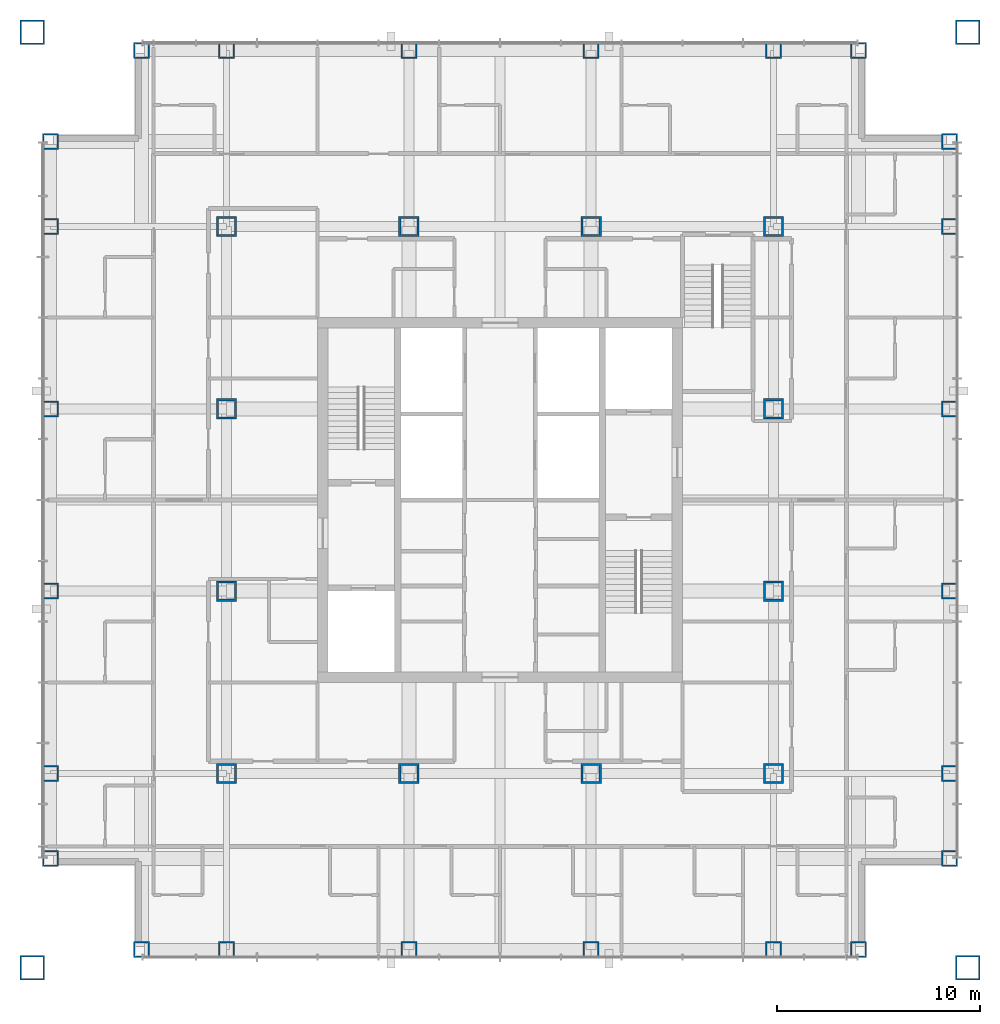
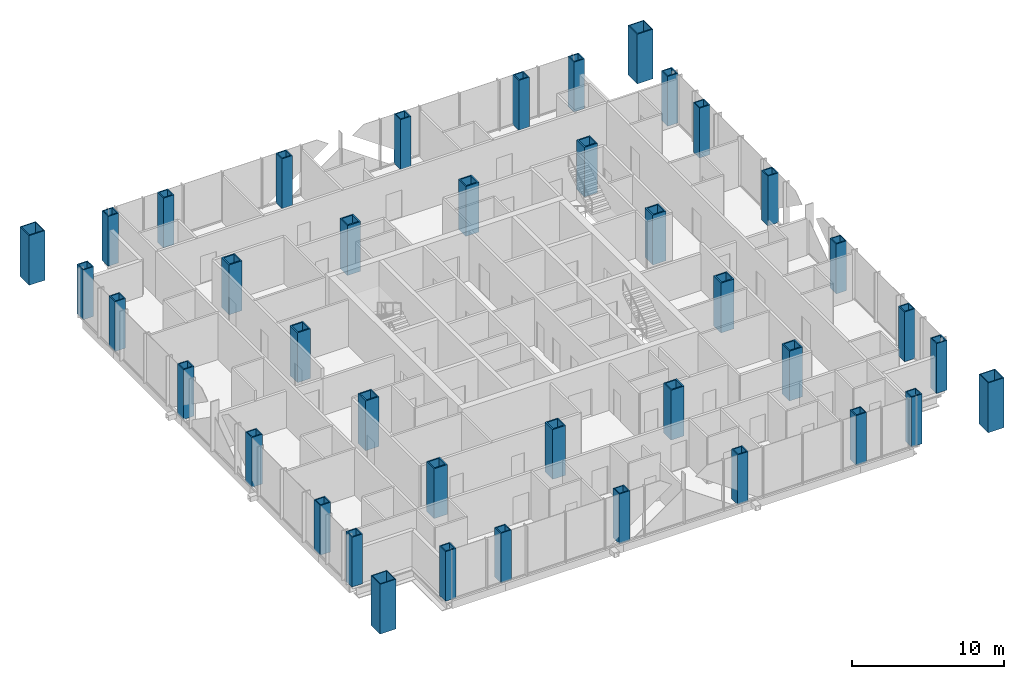
# One storey, part 1 of 17: 40 columns.
"""IFC4 building model written with IfcOpenShell, lengths in metres."""

from ifc_helpers import new_model, si_unit, direction, frame, origin, origin_2d, place, context, subcontext, project, spatial, hollow_rectangle, extrude, material, material_profile, profile_set, type_object, element, save


model = new_model("IFC4")

# Units and contexts
model_context = context("Model", 3, precision=1e-05, world=origin(), true_north=direction((0.0, 1.0)))
body_context = subcontext(model_context, "Body", "Model", "MODEL_VIEW")
ifc_project = project(units=[si_unit("LENGTHUNIT", "METRE"), si_unit("AREAUNIT", "SQUARE_METRE"), si_unit("VOLUMEUNIT", "CUBIC_METRE"), si_unit("PLANEANGLEUNIT", "RADIAN"), si_unit("MASSUNIT", "GRAM", prefix="KILO")], contexts=[model_context])

# Site, building, storey
site_placement = place(None, origin())
site = spatial("IfcSite", under=ifc_project, at=site_placement, CompositionType="ELEMENT")
building_placement = place(site_placement, origin())
building = spatial("IfcBuilding", under=site, at=building_placement, Name="Malebo Sky Hospital", CompositionType="ELEMENT")
storey_placement = place(building_placement, frame((0.0, 0.0, 189.0)))
storey = spatial("IfcBuildingStorey", under=building, at=storey_placement, Name="L45", CompositionType="ELEMENT", Elevation=189.0)

# Columns
ifc_material = material(Name="Steel S460", Category="steel")
ifc_material_profile_1 = material_profile(ifc_material, hollow_rectangle(XDim=1.0, YDim=1.0, WallThickness=0.10009765625, at=origin_2d()), Name="BOX 1000x1000x100")
ifc_profile_set_1 = profile_set([ifc_material_profile_1], Name="Steel S460")
column_type_1 = type_object("IfcColumnType", Name="INNER COLUMN BOX 1000x1000x100", PredefinedType="COLUMN", material=ifc_profile_set_1)
for number, where, z_axis, x_axis, name in (
    (1, (46.5, 48.5, 0.0), (0.0, 0.0, 1.0), (1.0, 0.0, 0.0), "Column IC9 L45"),
    (2, (73.5, 48.5, 0.0), (0.0, 0.0, 1.0), (1.0, 0.0, 0.0), "Column IC9 L45"),
    (3, (73.5, 75.5, 0.0), (0.0, 0.0, 1.0), (1.0, 0.0, 0.0), "Column IC9 L45"),
    (4, (46.5, 75.5, 0.0), (0.0, 0.0, 1.0), (1.0, 0.0, 0.0), "Column IC9 L45"),
    (5, (55.5, 48.5, 0.0), (0.0, 0.0, 1.0), (1.0, 0.0, 0.0), "Column IC9 L45"),
    (6, (64.5, 48.5, 0.0), (0.0, 0.0, 1.0), (1.0, 0.0, 0.0), "Column IC9 L45"),
    (7, (55.5, 75.5, 0.0), (0.0, 0.0, 1.0), (1.0, 0.0, 0.0), "Column IC9 L45"),
    (8, (64.5, 75.5, 0.0), (0.0, 0.0, 1.0), (1.0, 0.0, 0.0), "Column IC9 L45"),
    (9, (46.5, 57.5, 0.0), (0.0, 0.0, 1.0), (1.0, 0.0, 0.0), "Column IC9 L45"),
    (10, (46.5, 66.5, 0.0), (0.0, 0.0, 1.0), (1.0, 0.0, 0.0), "Column IC9 L45"),
    (11, (73.5, 57.5, 0.0), (0.0, 0.0, 1.0), (1.0, 0.0, 0.0), "Column IC9 L45"),
    (12, (73.5, 66.5, 0.0), (0.0, 0.0, 1.0), (1.0, 0.0, 0.0), "Column IC9 L45"),
):
    element("IfcColumn", number, at=place(storey_placement, frame(where, z_axis=z_axis, x_axis=x_axis)), inside=storey, type_object=column_type_1, Name=name, PredefinedType="COLUMN", context=body_context, shape_type="SweptSolid", body=[
        extrude(hollow_rectangle(XDim=1.0, YDim=1.0, WallThickness=0.10009765625, at=origin_2d()), origin(), (0.0, 0.0, 1.0), 4.0),
    ])
ifc_material_profile_2 = material_profile(ifc_material, hollow_rectangle(XDim=1.199951171875, YDim=1.199951171875, WallThickness=0.070068359375, at=origin_2d()), Name="BOX 1200x1200x70")
ifc_profile_set_2 = profile_set([ifc_material_profile_2], Name="Steel S460")
column_type_2 = type_object("IfcColumnType", Name="MEGA COLUMN BOX 1200x1200x70", PredefinedType="COLUMN", material=ifc_profile_set_2)
for number, where, z_axis, x_axis, name in (
    (13, (36.89990234375, 38.89990234375, 0.0), (0.0, 0.0, 1.0), (1.0, 0.0, 0.0), "Mega column SW L45"),
    (14, (83.10009765625, 38.89990234375, 0.0), (0.0, 0.0, 1.0), (1.0, 0.0, 0.0), "Mega column SE L45"),
    (15, (83.10009765625, 85.10009765625, 0.0), (0.0, 0.0, 1.0), (1.0, 0.0, 0.0), "Mega column NE L45"),
    (16, (36.89990234375, 85.10009765625, 0.0), (0.0, 0.0, 1.0), (1.0, 0.0, 0.0), "Mega column NW L45"),
):
    element("IfcColumn", number, at=place(storey_placement, frame(where, z_axis=z_axis, x_axis=x_axis)), inside=storey, type_object=column_type_2, Name=name, PredefinedType="COLUMN", context=body_context, shape_type="SweptSolid", body=[
        extrude(hollow_rectangle(XDim=1.199951171875, YDim=1.199951171875, WallThickness=0.070068359375, at=origin_2d()), origin(), (0.0, 0.0, 1.0), 4.0),
    ])
ifc_material_profile_3 = material_profile(ifc_material, hollow_rectangle(XDim=0.800048828125, YDim=0.800048828125, WallThickness=0.080078125, at=origin_2d()), Name="BOX 800x800x80")
ifc_profile_set_3 = profile_set([ifc_material_profile_3], Name="Steel S460")
column_type_3 = type_object("IfcColumnType", Name="PERIMETER COLUMN BOX 800x800x80", PredefinedType="COLUMN", material=ifc_profile_set_3)
for number, where, z_axis, x_axis, name in (
    (17, (42.300048828125, 39.800048828125, 0.0), (0.0, 0.0, 1.0), (1.0, 0.0, 0.0), "Column PC7 L45"),
    (18, (42.300048828125, 84.199951171875, 0.0), (0.0, 0.0, 1.0), (1.0, 0.0, 0.0), "Column PC7 L45"),
    (19, (37.800048828125, 44.300048828125, 0.0), (0.0, 0.0, 1.0), (1.0, 0.0, 0.0), "Column PC7 L45"),
    (20, (82.199951171875, 44.300048828125, 0.0), (0.0, 0.0, 1.0), (1.0, 0.0, 0.0), "Column PC7 L45"),
    (21, (46.5, 39.800048828125, 0.0), (0.0, 0.0, 1.0), (1.0, 0.0, 0.0), "Column PC7 L45"),
    (22, (46.5, 84.199951171875, 0.0), (0.0, 0.0, 1.0), (1.0, 0.0, 0.0), "Column PC7 L45"),
    (23, (37.800048828125, 48.5, 0.0), (0.0, 0.0, 1.0), (1.0, 0.0, 0.0), "Column PC7 L45"),
    (24, (82.199951171875, 48.5, 0.0), (0.0, 0.0, 1.0), (1.0, 0.0, 0.0), "Column PC7 L45"),
    (25, (55.5, 39.800048828125, 0.0), (0.0, 0.0, 1.0), (1.0, 0.0, 0.0), "Column PC7 L45"),
    (26, (55.5, 84.199951171875, 0.0), (0.0, 0.0, 1.0), (1.0, 0.0, 0.0), "Column PC7 L45"),
    (27, (37.800048828125, 57.5, 0.0), (0.0, 0.0, 1.0), (1.0, 0.0, 0.0), "Column PC7 L45"),
    (28, (82.199951171875, 57.5, 0.0), (0.0, 0.0, 1.0), (1.0, 0.0, 0.0), "Column PC7 L45"),
    (29, (64.5, 39.800048828125, 0.0), (0.0, 0.0, 1.0), (1.0, 0.0, 0.0), "Column PC7 L45"),
    (30, (64.5, 84.199951171875, 0.0), (0.0, 0.0, 1.0), (1.0, 0.0, 0.0), "Column PC7 L45"),
    (31, (37.800048828125, 66.5, 0.0), (0.0, 0.0, 1.0), (1.0, 0.0, 0.0), "Column PC7 L45"),
    (32, (82.199951171875, 66.5, 0.0), (0.0, 0.0, 1.0), (1.0, 0.0, 0.0), "Column PC7 L45"),
    (33, (73.5, 39.800048828125, 0.0), (0.0, 0.0, 1.0), (1.0, 0.0, 0.0), "Column PC7 L45"),
    (34, (73.5, 84.199951171875, 0.0), (0.0, 0.0, 1.0), (1.0, 0.0, 0.0), "Column PC7 L45"),
    (35, (37.800048828125, 75.5, 0.0), (0.0, 0.0, 1.0), (1.0, 0.0, 0.0), "Column PC7 L45"),
    (36, (82.199951171875, 75.5, 0.0), (0.0, 0.0, 1.0), (1.0, 0.0, 0.0), "Column PC7 L45"),
    (37, (77.699951171875, 39.800048828125, 0.0), (0.0, 0.0, 1.0), (1.0, 0.0, 0.0), "Column PC7 L45"),
    (38, (77.699951171875, 84.199951171875, 0.0), (0.0, 0.0, 1.0), (1.0, 0.0, 0.0), "Column PC7 L45"),
    (39, (37.800048828125, 79.699951171875, 0.0), (0.0, 0.0, 1.0), (1.0, 0.0, 0.0), "Column PC7 L45"),
    (40, (82.199951171875, 79.699951171875, 0.0), (0.0, 0.0, 1.0), (1.0, 0.0, 0.0), "Column PC7 L45"),
):
    element("IfcColumn", number, at=place(storey_placement, frame(where, z_axis=z_axis, x_axis=x_axis)), inside=storey, type_object=column_type_3, Name=name, PredefinedType="COLUMN", context=body_context, shape_type="SweptSolid", body=[
        extrude(hollow_rectangle(XDim=0.800048828125, YDim=0.800048828125, WallThickness=0.080078125, at=origin_2d()), origin(), (0.0, 0.0, 1.0), 4.0),
    ])

save(model, "model.ifc")
